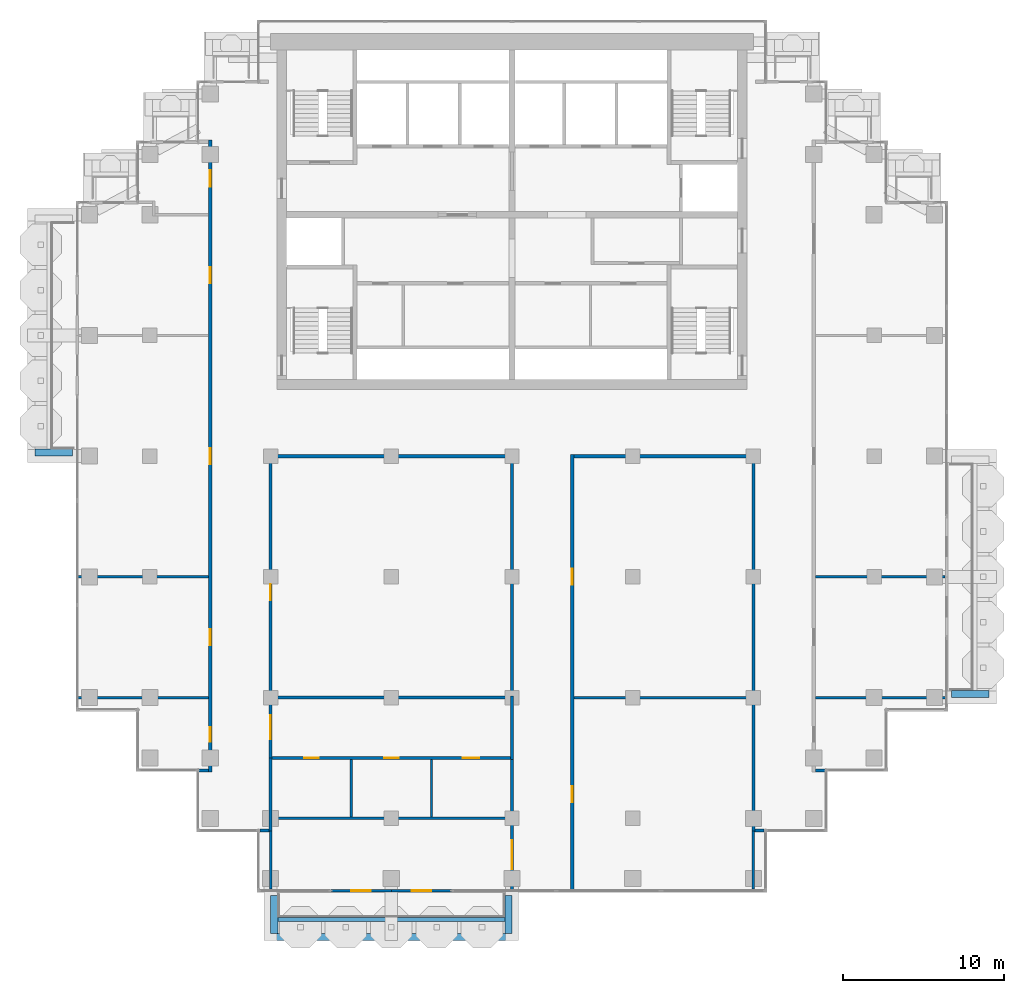
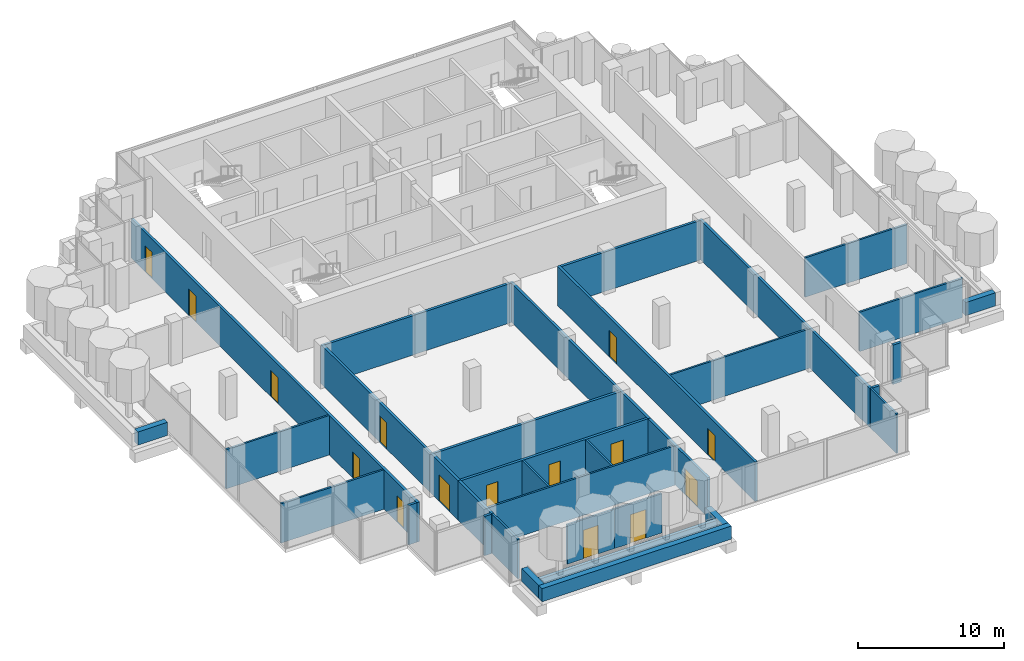
# One storey, part 11 of 17: 35 walls, 15 doors, 15 openings.
"""IFC4 building model written with IfcOpenShell, lengths in metres."""

import ifcopenshell
import ifcopenshell.guid

model = None  # the IFC model being written
_history = None  # IfcOwnerHistory: only IFC2X3 demands one
_inside = {}  # id of a spatial element -> (the spatial element, [elements in it])
_under = {}  # id of a project, library or spatial element -> (it, [spatial elements below it])
_declared = {}  # id of a project -> (the project, [libraries it declares])
_typed = {}  # id of a type object -> (the type object, [elements of that type])
_made_of = {}  # id of a material, layer set ... -> (it, [elements and type objects made of it])


def new_model(schema):
    """Start an empty IFC model of exactly this schema.

    Asked for "IFC4X3", IfcOpenShell would pick the latest addendum, in which some entities
    have other attributes; the version numbers below select the first issue.
    IFC2X3 requires an IfcOwnerHistory on every rooted entity: one is made here for all.
    """
    global model, _history
    if schema == "IFC4X3":
        model = ifcopenshell.file(schema_version=(4, 3, 0, 0))
    else:
        model = ifcopenshell.file(schema=schema)
    _inside.clear()
    _under.clear()
    _declared.clear()
    _typed.clear()
    _made_of.clear()
    _history = None
    if model.schema == "IFC2X3":
        org = make("IfcOrganization", Name="unknown")
        user = make(
            "IfcPersonAndOrganization",
            ThePerson=make("IfcPerson", FamilyName="unknown"),
            TheOrganization=org,
        )
        app = make(
            "IfcApplication",
            ApplicationDeveloper=org,
            Version="unknown",
            ApplicationFullName="unknown",
            ApplicationIdentifier="unknown",
        )
        _history = make(
            "IfcOwnerHistory",
            OwningUser=user,
            OwningApplication=app,
            ChangeAction="ADDED",
            CreationDate=0,
        )
    return model


def make(cls, **values):
    """One entity of the class cls with the attributes given. An attribute that is None is left unset."""
    return model.create_entity(
        cls, **{name: value for name, value in values.items() if value is not None}
    )


def rooted(cls, **values):
    """An entity with a GlobalId (a new one), such as an element, a storey or a relation."""
    return make(cls, GlobalId=ifcopenshell.guid.new(), OwnerHistory=_history, **values)


def si_unit(unit_type, name, prefix=None):
    """IfcSIUnit, for example si_unit("LENGTHUNIT", "METRE", prefix="MILLI")."""
    return make("IfcSIUnit", UnitType=unit_type, Prefix=prefix, Name=name)


def assignment(units):
    """IfcUnitAssignment: the units of a project."""
    return None if units is None else make("IfcUnitAssignment", Units=units)


def point(xyz):
    """IfcCartesianPoint."""
    return None if xyz is None else make("IfcCartesianPoint", Coordinates=xyz)


def direction(xyz):
    """IfcDirection."""
    return None if xyz is None else make("IfcDirection", DirectionRatios=xyz)


def frame(location, z_axis=None, x_axis=None):
    """IfcAxis2Placement3D, a coordinate frame: its origin and axes. An axis left out is left unset."""
    return make(
        "IfcAxis2Placement3D",
        Location=point(location),
        Axis=direction(z_axis),
        RefDirection=direction(x_axis),
    )


def frame_2d(location, x_axis=None):
    """IfcAxis2Placement2D, a coordinate frame in the plane: its origin and x axis."""
    return make(
        "IfcAxis2Placement2D", Location=point(location), RefDirection=direction(x_axis)
    )


def origin():
    """The frame at (0, 0, 0) with its axes left unset."""
    return frame((0.0, 0.0, 0.0))


def place(relative_to, where):
    """IfcLocalPlacement: puts the frame where relative to a parent placement (None: the world)."""
    return make(
        "IfcLocalPlacement", PlacementRelTo=relative_to, RelativePlacement=where
    )


def context(
    kind, dimensions, precision=None, world=None, true_north=None, identifier=None
):
    """IfcGeometricRepresentationContext, for example the 3D "Model" context."""
    return make(
        "IfcGeometricRepresentationContext",
        ContextIdentifier=identifier,
        ContextType=kind,
        CoordinateSpaceDimension=dimensions,
        Precision=precision,
        WorldCoordinateSystem=world,
        TrueNorth=true_north,
    )


def subcontext(parent, identifier, kind, view, scale=None):
    """IfcGeometricRepresentationSubContext, for example "Body" below "Model"."""
    return make(
        "IfcGeometricRepresentationSubContext",
        ContextIdentifier=identifier,
        ContextType=kind,
        ParentContext=parent,
        TargetScale=scale,
        TargetView=view,
    )


def project(units=None, contexts=None):
    """IfcProject with its units and contexts."""
    return rooted(
        "IfcProject",
        Name="project",
        RepresentationContexts=contexts,
        UnitsInContext=assignment(units),
    )


def spatial(cls, under=None, at=None, **own):
    """A site, building, storey or space (cls), placed at a placement, below another one or the project."""
    s = rooted(cls, ObjectPlacement=at, **own)
    if under is not None:
        _under.setdefault(under.id(), (under, []))[1].append(s)
    return s


def profile(cls, at=None, kind="AREA", **sizes):
    """A parametric profile (cls). Its sizes go by their IFC names, for example OverallWidth=200.0."""
    return make(cls, ProfileType=kind, Position=at, **sizes)


def rectangle(**sizes):
    """IfcRectangleProfileDef."""
    return profile("IfcRectangleProfileDef", **sizes)


def extrude(swept, where, along, depth):
    """IfcExtrudedAreaSolid: the profile swept, set in the frame where, extruded along a direction by depth."""
    return make(
        "IfcExtrudedAreaSolid",
        SweptArea=swept,
        Position=where,
        ExtrudedDirection=direction(along),
        Depth=depth,
    )


def shape(context_of_items, identifier, shape_type, items):
    """IfcShapeRepresentation: the items that make up one representation, for example the "Body"."""
    return make(
        "IfcShapeRepresentation",
        ContextOfItems=context_of_items,
        RepresentationIdentifier=identifier,
        RepresentationType=shape_type,
        Items=items,
    )


def material(Name=None, Category=None):
    """IfcMaterial."""
    return make("IfcMaterial", Name=Name, Category=Category)


def layer(
    of_material, thickness, ventilated=None, Name=None, Category=None, Priority=None
):
    """IfcMaterialLayer: one layer of a wall or slab, of a material (None: an air gap)."""
    return make(
        "IfcMaterialLayer",
        Material=of_material,
        LayerThickness=thickness,
        IsVentilated=ventilated,
        Name=Name,
        Category=Category,
        Priority=Priority,
    )


def layer_set(layers, Name=None):
    """IfcMaterialLayerSet."""
    return make("IfcMaterialLayerSet", MaterialLayers=layers, LayerSetName=Name)


def made_of(thing, what):
    """Note that an element or type object is made of a material, layer set ...; save() writes the relation."""
    if what is not None:
        _made_of.setdefault(what.id(), (what, []))[1].append(thing)
    return thing


def type_object(cls, material=None, **own):
    """A type object (cls), such as IfcWallType, which elements share."""
    return made_of(rooted(cls, **own), material)


def element(
    cls,
    number,
    at=None,
    inside=None,
    cuts=None,
    type_object=None,
    material=None,
    context=None,
    identifier="Body",
    shape_type=None,
    held_by="IfcProductDefinitionShape",
    body=None,
    shapes=None,
    **own,
):
    """One element of the class cls, such as IfcWall. Its Tag is "e" and its number.

    at: its placement. inside: the storey or other place that contains it. cuts: it is an
    opening in that element (IfcRelVoidsElement). A single representation is given by context,
    identifier, shape_type and body (its items); several are given by shapes. held_by: the class
    of the entity that holds the representations. save() writes the other relations.
    """
    e = rooted(cls, Tag="e%d" % number, ObjectPlacement=at, **own)
    if body is not None:
        shapes = [shape(context, identifier, shape_type, body)]
    if shapes is not None:
        e.Representation = make(held_by, Representations=shapes)
    if inside is not None:
        _inside.setdefault(inside.id(), (inside, []))[1].append(e)
    if cuts is not None:
        rooted(
            "IfcRelVoidsElement", RelatingBuildingElement=cuts, RelatedOpeningElement=e
        )
    if type_object is not None:
        _typed.setdefault(type_object.id(), (type_object, []))[1].append(e)
    return made_of(e, material)


def fill(opening, filler):
    """IfcRelFillsElement: the door or window that sits in an opening."""
    return rooted(
        "IfcRelFillsElement",
        RelatingOpeningElement=opening,
        RelatedBuildingElement=filler,
    )


def aggregate(whole, parts):
    """IfcRelAggregates: a whole, such as a stair, and the parts it consists of."""
    return rooted("IfcRelAggregates", RelatingObject=whole, RelatedObjects=parts)


def save(model, path):
    """Write the relations noted so far, then the file.

    IfcRelAggregates (storeys below a building ...), IfcRelContainedInSpatialStructure (elements
    in a storey), IfcRelDefinesByType, IfcRelAssociatesMaterial and IfcRelDeclares: one each for
    every whole, place, type object, material and project.
    """
    for whole, parts in _under.values():
        aggregate(whole, parts)
    for where, things in _inside.values():
        rooted(
            "IfcRelContainedInSpatialStructure",
            RelatedElements=things,
            RelatingStructure=where,
        )
    for kind, things in _typed.values():
        rooted("IfcRelDefinesByType", RelatedObjects=things, RelatingType=kind)
    for what, things in _made_of.values():
        rooted("IfcRelAssociatesMaterial", RelatedObjects=things, RelatingMaterial=what)
    for by, libraries in _declared.values():
        rooted("IfcRelDeclares", RelatingContext=by, RelatedDefinitions=libraries)
    model.write(path)


model = new_model("IFC4")

# Units and contexts
model_context = context("Model", 3, precision=1e-05, world=origin(), true_north=direction((0.0, 1.0)))
body_context = subcontext(model_context, "Body", "Model", "MODEL_VIEW")
ifc_project = project(units=[si_unit("LENGTHUNIT", "METRE"), si_unit("AREAUNIT", "SQUARE_METRE"), si_unit("VOLUMEUNIT", "CUBIC_METRE"), si_unit("PLANEANGLEUNIT", "RADIAN"), si_unit("MASSUNIT", "GRAM", prefix="KILO")], contexts=[model_context])

# Site, building, storey
site_placement = place(None, origin())
site = spatial("IfcSite", under=ifc_project, at=site_placement, CompositionType="ELEMENT")
building_placement = place(site_placement, origin())
building = spatial("IfcBuilding", under=site, at=building_placement, Name="Pilkhan Gate Tower", CompositionType="ELEMENT")
storey_placement = place(building_placement, frame((0.0, 0.0, 213.89990234375)))
storey = spatial("IfcBuildingStorey", under=building, at=storey_placement, Name="L55", CompositionType="ELEMENT", Elevation=213.89990234375)

# Walls
ifc_material_1 = material(Name="Concrete C40/50", Category="concrete")
ifc_layer_1 = layer(ifc_material_1, 0.25)
ifc_layer_set_1 = layer_set([ifc_layer_1], Name="Balcony planter BP250")
wall_type_1 = type_object("IfcWallType", Name="Balcony planter BP250", PredefinedType="USERDEFINED", material=ifc_layer_set_1)
wall_1_placement = place(storey_placement, frame((60.449951171875, 38.72509765625, 0.0), z_axis=(0.0, 0.0, 1.0), x_axis=(1.0, 0.0, 0.0)))
element("IfcWall", 1, at=wall_1_placement, inside=storey, type_object=wall_type_1, Name="Balcony planter L55 S", ObjectType="BALCONY PLANTER", PredefinedType="USERDEFINED", context=body_context, shape_type="SweptSolid", body=[
    extrude(rectangle(XDim=14.10009765625, YDim=0.25, at=frame_2d((7.050048828125, 0.0))), origin(), (0.0, 0.0, 1.0), 1.0),
])
ifc_material_2 = material(Name="Board-marked Concrete C40/50", Category="concrete")
ifc_layer_2 = layer(ifc_material_2, 0.449951171875)
ifc_layer_set_2 = layer_set([ifc_layer_2], Name="Balcony planter lip BL450")
wall_type_2 = type_object("IfcWallType", Name="Balcony planter lip BL450", PredefinedType="USERDEFINED", material=ifc_layer_set_2)
wall_2_placement = place(storey_placement, frame((60.0, 37.625, 0.0), z_axis=(0.0, 0.0, 1.0), x_axis=(1.0, 0.0, 0.0)))
element("IfcWall", 2, at=wall_2_placement, inside=storey, type_object=wall_type_2, Name="Balcony planter L55 S", ObjectType="BALCONY PLANTER", PredefinedType="USERDEFINED", context=body_context, shape_type="SweptSolid", body=[
    extrude(rectangle(XDim=15.0, YDim=0.449951171875, at=frame_2d((7.5, 0.0))), origin(), (0.0, 0.0, 1.0), 1.10009765625),
])
for number, where, z_axis, x_axis, name in (
    (3, (60.22509765625, 40.199951171875, 0.0), (0.0, 0.0, 1.0), (0.0, -1.0, 0.0), "Balcony planter L55 S"),
    (4, (74.77490234375, 40.199951171875, 0.0), (0.0, 0.0, 1.0), (0.0, -1.0, 0.0), "Balcony planter L55 S"),
    (5, (102.300048828125, 52.72509765625, 0.0), (0.0, 0.0, 1.0), (1.0, 0.0, 0.0), "Balcony planter L55 E"),
    (6, (47.699951171875, 67.72509765625, 0.0), (0.0, 0.0, 1.0), (-1.0, 0.0, 0.0), "Balcony planter L55 W"),
):
    element("IfcWall", number, at=place(storey_placement, frame(where, z_axis=z_axis, x_axis=x_axis)), inside=storey, type_object=wall_type_2, Name=name, ObjectType="BALCONY PLANTER", PredefinedType="USERDEFINED", context=body_context, shape_type="SweptSolid", body=[
        extrude(rectangle(XDim=2.349853515625, YDim=0.449951171875, at=frame_2d((1.1748046875, 0.0))), origin(), (0.0, 0.0, 1.0), 1.10009765625),
    ])
ifc_material_3 = material(Name="Dense blockwork", Category="masonry")
ifc_layer_3 = layer(ifc_material_3, 0.199951171875)
ifc_layer_set_3 = layer_set([ifc_layer_3], Name="Corridor wall FW200")
wall_type_3 = type_object("IfcWallType", Name="Corridor wall FW200", PredefinedType="PARTITIONING", material=ifc_layer_set_3)
for number, where, z_axis, x_axis, name in (
    (7, (59.35498046875, 44.235107421875, 0.0), (0.0, 0.0, 1.0), (1.0, 0.0, 0.0), "Partition L55"),
    (8, (90.10009765625, 44.235107421875, 0.0), (0.0, 0.0, 1.0), (1.0, 0.0, 0.0), "Partition L55"),
):
    element("IfcWall", number, at=place(storey_placement, frame(where, z_axis=z_axis, x_axis=x_axis)), inside=storey, type_object=wall_type_3, Name=name, PredefinedType="PARTITIONING", context=body_context, shape_type="SweptSolid", body=[
        extrude(rectangle(XDim=0.544921875, YDim=0.199951171875, at=frame_2d((0.2724609375, 0.0))), origin(), (0.0, 0.0, 1.0), 3.300048828125),
    ])
for number, where, z_axis, x_axis, name in (
    (9, (55.485107421875, 47.969970703125, 0.0), (0.0, 0.0, 1.0), (1.0, 0.0, 0.0), "Partition L55"),
    (10, (93.85009765625, 47.969970703125, 0.0), (0.0, 0.0, 1.0), (1.0, 0.0, 0.0), "Partition L55"),
):
    element("IfcWall", number, at=place(storey_placement, frame(where, z_axis=z_axis, x_axis=x_axis)), inside=storey, type_object=wall_type_3, Name=name, PredefinedType="PARTITIONING", context=body_context, shape_type="SweptSolid", body=[
        extrude(rectangle(XDim=0.664794921875, YDim=0.199951171875, at=frame_2d((0.33251953125, 0.0))), origin(), (0.0, 0.0, 1.0), 3.300048828125),
    ])
wall_3_placement = place(storey_placement, frame((60.10009765625, 67.5, 0.0), z_axis=(0.0, 0.0, 1.0), x_axis=(1.0, 0.0, 0.0)))
element("IfcWall", 11, at=wall_3_placement, inside=storey, type_object=wall_type_3, Name="Partition L55", PredefinedType="PARTITIONING", context=body_context, shape_type="SweptSolid", body=[
    extrude(rectangle(XDim=14.7998046875, YDim=0.199951171875, at=frame_2d((7.39990234375, 0.0))), origin(), (0.0, 0.0, 1.0), 3.300048828125),
])
wall_4_placement = place(storey_placement, frame((78.85009765625, 67.5, 0.0), z_axis=(0.0, 0.0, 1.0), x_axis=(1.0, 0.0, 0.0)))
element("IfcWall", 12, at=wall_4_placement, inside=storey, type_object=wall_type_3, Name="Partition L55", PredefinedType="PARTITIONING", context=body_context, shape_type="SweptSolid", body=[
    extrude(rectangle(XDim=11.0498046875, YDim=0.199951171875, at=frame_2d((5.52490234375, 0.0))), origin(), (0.0, 0.0, 1.0), 3.300048828125),
])

# Wall, openings, doors
wall_5_placement = place(storey_placement, frame((56.25, 47.8701171875, 0.0), z_axis=(0.0, 0.0, 1.0), x_axis=(0.0, 1.0, 0.0)))
wall_5 = element("IfcWall", 13, at=wall_5_placement, inside=storey, type_object=wall_type_3, Name="Partition L55", PredefinedType="PARTITIONING", context=body_context, shape_type="SweptSolid", body=[
    extrude(rectangle(XDim=39.259765625, YDim=0.199951171875, at=frame_2d((19.6298828125, 0.0))), origin(), (0.0, 0.0, 1.0), 3.300048828125),
])
opening_1_placement = place(wall_5_placement, frame((1.89990234375, 0.0, 0.0)))
opening_1 = element("IfcOpeningElement", 14, at=opening_1_placement, cuts=wall_5, Name="Opening L55-21", PredefinedType="OPENING", context=body_context, shape_type="SweptSolid", body=[
    extrude(rectangle(XDim=0.89990234375, YDim=2.199951171875, at=frame_2d((0.449951171875, 1.10009765625))), frame((0.0, 0.10986328125, 0.0), z_axis=(0.0, -1.0, 0.0), x_axis=(1.0, 0.0, 0.0)), (0.0, 0.0, 1.0), 0.219970703125),
])
opening_2_placement = place(wall_5_placement, frame((7.8798828125, 0.0, 0.0)))
opening_2 = element("IfcOpeningElement", 15, at=opening_2_placement, cuts=wall_5, Name="Opening L55-22", PredefinedType="OPENING", context=body_context, shape_type="SweptSolid", body=[
    extrude(rectangle(XDim=1.0, YDim=2.199951171875, at=frame_2d((0.5, 1.10009765625))), frame((0.0, 0.10986328125, 0.0), z_axis=(0.0, -1.0, 0.0), x_axis=(1.0, 0.0, 0.0)), (0.0, 0.0, 1.0), 0.219970703125),
])
opening_3_placement = place(wall_5_placement, frame((19.1298828125, 0.0, 0.0)))
opening_3 = element("IfcOpeningElement", 16, at=opening_3_placement, cuts=wall_5, Name="Opening L55-23", PredefinedType="OPENING", context=body_context, shape_type="SweptSolid", body=[
    extrude(rectangle(XDim=1.0, YDim=2.199951171875, at=frame_2d((0.5, 1.10009765625))), frame((0.0, 0.10986328125, 0.0), z_axis=(0.0, -1.0, 0.0), x_axis=(1.0, 0.0, 0.0)), (0.0, 0.0, 1.0), 0.219970703125),
])
opening_4_placement = place(wall_5_placement, frame((30.3798828125, 0.0, 0.0)))
opening_4 = element("IfcOpeningElement", 17, at=opening_4_placement, cuts=wall_5, Name="Opening L55-27", PredefinedType="OPENING", context=body_context, shape_type="SweptSolid", body=[
    extrude(rectangle(XDim=1.0, YDim=2.199951171875, at=frame_2d((0.5, 1.10009765625))), frame((0.0, 0.10986328125, 0.0), z_axis=(0.0, -1.0, 0.0), x_axis=(1.0, 0.0, 0.0)), (0.0, 0.0, 1.0), 0.219970703125),
])
opening_5_placement = place(wall_5_placement, frame((36.3798828125, 0.0, 0.0)))
opening_5 = element("IfcOpeningElement", 18, at=opening_5_placement, cuts=wall_5, Name="Opening L55-28", PredefinedType="OPENING", context=body_context, shape_type="SweptSolid", body=[
    extrude(rectangle(XDim=1.0, YDim=2.199951171875, at=frame_2d((0.5, 1.10009765625))), frame((0.0, 0.10986328125, 0.0), z_axis=(0.0, -1.0, 0.0), x_axis=(1.0, 0.0, 0.0)), (0.0, 0.0, 1.0), 0.219970703125),
])
ifc_material_4 = material(Name="Timber flush door, 30 minute fire resisting", Category="wood")
door_type_1 = type_object("IfcDoorType", Name="Room door D03 1000x2200", OperationType="SINGLE_SWING_LEFT", PredefinedType="DOOR", material=ifc_material_4)
door_1_placement = place(opening_2_placement, origin())
door_1 = element("IfcDoor", 19, at=door_1_placement, inside=storey, type_object=door_type_1, Name="Room door", OperationType="SINGLE_SWING_LEFT", OverallHeight=2.199951171875, OverallWidth=1.0, PredefinedType="DOOR", context=body_context, shape_type="SweptSolid", body=[
    extrude(rectangle(XDim=1.0, YDim=2.199951171875, at=frame_2d((0.5, 1.10009765625))), frame((0.0, 0.02490234375, 0.0), z_axis=(0.0, -1.0, 0.0), x_axis=(1.0, 0.0, 0.0)), (0.0, 0.0, 1.0), 0.050048828125),
])
fill(opening_2, door_1)
door_2_placement = place(opening_3_placement, origin())
door_2 = element("IfcDoor", 20, at=door_2_placement, inside=storey, type_object=door_type_1, Name="Room door", OperationType="SINGLE_SWING_LEFT", OverallHeight=2.199951171875, OverallWidth=1.0, PredefinedType="DOOR", context=body_context, shape_type="SweptSolid", body=[
    extrude(rectangle(XDim=1.0, YDim=2.199951171875, at=frame_2d((0.5, 1.10009765625))), frame((0.0, 0.02490234375, 0.0), z_axis=(0.0, -1.0, 0.0), x_axis=(1.0, 0.0, 0.0)), (0.0, 0.0, 1.0), 0.050048828125),
])
fill(opening_3, door_2)
door_3_placement = place(opening_4_placement, origin())
door_3 = element("IfcDoor", 21, at=door_3_placement, inside=storey, type_object=door_type_1, Name="Room door", OperationType="SINGLE_SWING_RIGHT", OverallHeight=2.199951171875, OverallWidth=1.0, PredefinedType="DOOR", context=body_context, shape_type="SweptSolid", body=[
    extrude(rectangle(XDim=1.0, YDim=2.199951171875, at=frame_2d((0.5, 1.10009765625))), frame((0.0, 0.02490234375, 0.0), z_axis=(0.0, -1.0, 0.0), x_axis=(1.0, 0.0, 0.0)), (0.0, 0.0, 1.0), 0.050048828125),
])
fill(opening_4, door_3)
door_4_placement = place(opening_5_placement, origin())
door_4 = element("IfcDoor", 22, at=door_4_placement, inside=storey, type_object=door_type_1, Name="Room door", OperationType="SINGLE_SWING_RIGHT", OverallHeight=2.199951171875, OverallWidth=1.0, PredefinedType="DOOR", context=body_context, shape_type="SweptSolid", body=[
    extrude(rectangle(XDim=1.0, YDim=2.199951171875, at=frame_2d((0.5, 1.10009765625))), frame((0.0, 0.02490234375, 0.0), z_axis=(0.0, -1.0, 0.0), x_axis=(1.0, 0.0, 0.0)), (0.0, 0.0, 1.0), 0.050048828125),
])
fill(opening_5, door_4)
ifc_material_5 = material(Name="Timber flush door, 60 minute fire resisting, self-closing", Category="wood")
door_type_2 = type_object("IfcDoorType", Name="Store door D05 900x2200", OperationType="SINGLE_SWING_LEFT", PredefinedType="DOOR", material=ifc_material_5)
door_5_placement = place(opening_1_placement, origin())
door_5 = element("IfcDoor", 23, at=door_5_placement, inside=storey, type_object=door_type_2, Name="Store door", OperationType="SINGLE_SWING_LEFT", OverallHeight=2.199951171875, OverallWidth=0.89990234375, PredefinedType="DOOR", context=body_context, shape_type="SweptSolid", body=[
    extrude(rectangle(XDim=0.89990234375, YDim=2.199951171875, at=frame_2d((0.449951171875, 1.10009765625))), frame((0.0, 0.02490234375, 0.0), z_axis=(0.0, -1.0, 0.0), x_axis=(1.0, 0.0, 0.0)), (0.0, 0.0, 1.0), 0.050048828125),
])
fill(opening_1, door_5)

# Wall
wall_6_placement = place(storey_placement, frame((60.0, 44.135009765625, 0.0), z_axis=(0.0, 0.0, 1.0), x_axis=(0.0, 1.0, 0.0)))
element("IfcWall", 24, at=wall_6_placement, inside=storey, type_object=wall_type_3, Name="Partition L55", PredefinedType="PARTITIONING", context=body_context, shape_type="SweptSolid", body=[
    extrude(rectangle(XDim=4.614990234375, YDim=0.199951171875, at=frame_2d((2.3076171875, 0.0))), origin(), (0.0, 0.0, 1.0), 3.300048828125),
])

# Wall, opening, door
wall_7_placement = place(storey_placement, frame((60.0, 52.5, 0.0), z_axis=(0.0, 0.0, 1.0), x_axis=(0.0, 1.0, 0.0)))
wall_7 = element("IfcWall", 25, at=wall_7_placement, inside=storey, type_object=wall_type_3, Name="Partition L55", PredefinedType="PARTITIONING", context=body_context, shape_type="SweptSolid", body=[
    extrude(rectangle(XDim=15.10009765625, YDim=0.199951171875, at=frame_2d((7.550048828125, 0.0))), origin(), (0.0, 0.0, 1.0), 3.300048828125),
])
opening_6_placement = place(wall_7_placement, frame((6.050048828125, 0.0, 0.0)))
opening_6 = element("IfcOpeningElement", 26, at=opening_6_placement, cuts=wall_7, Name="Opening L55-18", PredefinedType="OPENING", context=body_context, shape_type="SweptSolid", body=[
    extrude(rectangle(XDim=1.0, YDim=2.199951171875, at=frame_2d((0.5, 1.10009765625))), frame((0.0, 0.10986328125, 0.0), z_axis=(0.0, -1.0, 0.0), x_axis=(1.0, 0.0, 0.0)), (0.0, 0.0, 1.0), 0.219970703125),
])
door_6_placement = place(opening_6_placement, origin())
door_6 = element("IfcDoor", 27, at=door_6_placement, inside=storey, type_object=door_type_1, Name="Room door", OperationType="SINGLE_SWING_RIGHT", OverallHeight=2.199951171875, OverallWidth=1.0, PredefinedType="DOOR", context=body_context, shape_type="SweptSolid", body=[
    extrude(rectangle(XDim=1.0, YDim=2.199951171875, at=frame_2d((0.5, 1.10009765625))), frame((0.0, 0.02490234375, 0.0), z_axis=(0.0, -1.0, 0.0), x_axis=(1.0, 0.0, 0.0)), (0.0, 0.0, 1.0), 0.050048828125),
])
fill(opening_6, door_6)

wall_8_placement = place(storey_placement, frame((75.0, 40.485107421875, 0.0), z_axis=(0.0, 0.0, 1.0), x_axis=(0.0, 1.0, 0.0)))
wall_8 = element("IfcWall", 28, at=wall_8_placement, inside=storey, type_object=wall_type_3, Name="Partition L55", PredefinedType="PARTITIONING", context=body_context, shape_type="SweptSolid", body=[
    extrude(rectangle(XDim=8.264892578125, YDim=0.199951171875, at=frame_2d((4.13232421875, 0.0))), origin(), (0.0, 0.0, 1.0), 3.300048828125),
])
opening_7_placement = place(wall_8_placement, frame((1.35009765625, 0.0, 0.0)))
opening_7 = element("IfcOpeningElement", 29, at=opening_7_placement, cuts=wall_8, Name="Opening L55-17", PredefinedType="OPENING", context=body_context, shape_type="SweptSolid", body=[
    extrude(rectangle(XDim=1.800048828125, YDim=2.199951171875, at=frame_2d((0.89990234375, 1.10009765625))), frame((0.0, 0.10986328125, 0.0), z_axis=(0.0, -1.0, 0.0), x_axis=(1.0, 0.0, 0.0)), (0.0, 0.0, 1.0), 0.219970703125),
])
ifc_material_6 = material(Name="Timber glazed double door, 30 minute fire resisting", Category="wood")
door_type_3 = type_object("IfcDoorType", Name="Double door D04 1800x2200", OperationType="DOUBLE_DOOR_SINGLE_SWING", PredefinedType="DOOR", material=ifc_material_6)
door_7_placement = place(opening_7_placement, origin())
door_7 = element("IfcDoor", 30, at=door_7_placement, inside=storey, type_object=door_type_3, Name="Double door", OperationType="DOUBLE_DOOR_SINGLE_SWING", OverallHeight=2.199951171875, OverallWidth=1.800048828125, PredefinedType="DOOR", context=body_context, shape_type="SweptSolid", body=[
    extrude(rectangle(XDim=1.800048828125, YDim=2.199951171875, at=frame_2d((0.89990234375, 1.10009765625))), frame((0.0, 0.02490234375, 0.0), z_axis=(0.0, -1.0, 0.0), x_axis=(1.0, 0.0, 0.0)), (0.0, 0.0, 1.0), 0.050048828125),
])
fill(opening_7, door_7)

# Wall
wall_9_placement = place(storey_placement, frame((75.0, 52.5, 0.0), z_axis=(0.0, 0.0, 1.0), x_axis=(0.0, 1.0, 0.0)))
element("IfcWall", 31, at=wall_9_placement, inside=storey, type_object=wall_type_3, Name="Partition L55", PredefinedType="PARTITIONING", context=body_context, shape_type="SweptSolid", body=[
    extrude(rectangle(XDim=15.10009765625, YDim=0.199951171875, at=frame_2d((7.550048828125, 0.0))), origin(), (0.0, 0.0, 1.0), 3.300048828125),
])

# Wall, openings, doors
wall_10_placement = place(storey_placement, frame((78.75, 40.485107421875, 0.0), z_axis=(0.0, 0.0, 1.0), x_axis=(0.0, 1.0, 0.0)))
wall_10 = element("IfcWall", 32, at=wall_10_placement, inside=storey, type_object=wall_type_3, Name="Partition L55", PredefinedType="PARTITIONING", context=body_context, shape_type="SweptSolid", body=[
    extrude(rectangle(XDim=27.114990234375, YDim=0.199951171875, at=frame_2d((13.5576171875, 0.0))), origin(), (0.0, 0.0, 1.0), 3.300048828125),
])
opening_8_placement = place(wall_10_placement, frame((5.5, 0.0, 0.0)))
opening_8 = element("IfcOpeningElement", 33, at=opening_8_placement, cuts=wall_10, Name="Opening L55-19", PredefinedType="OPENING", context=body_context, shape_type="SweptSolid", body=[
    extrude(rectangle(XDim=1.0, YDim=2.199951171875, at=frame_2d((0.5, 1.10009765625))), frame((0.0, 0.10986328125, 0.0), z_axis=(0.0, -1.0, 0.0), x_axis=(1.0, 0.0, 0.0)), (0.0, 0.0, 1.0), 0.219970703125),
])
opening_9_placement = place(wall_10_placement, frame((19.014892578125, 0.0, 0.0)))
opening_9 = element("IfcOpeningElement", 34, at=opening_9_placement, cuts=wall_10, Name="Opening L55-20", PredefinedType="OPENING", context=body_context, shape_type="SweptSolid", body=[
    extrude(rectangle(XDim=1.0, YDim=2.199951171875, at=frame_2d((0.5, 1.10009765625))), frame((0.0, 0.10986328125, 0.0), z_axis=(0.0, -1.0, 0.0), x_axis=(1.0, 0.0, 0.0)), (0.0, 0.0, 1.0), 0.219970703125),
])
door_8_placement = place(opening_8_placement, origin())
door_8 = element("IfcDoor", 35, at=door_8_placement, inside=storey, type_object=door_type_1, Name="Room door", OperationType="SINGLE_SWING_LEFT", OverallHeight=2.199951171875, OverallWidth=1.0, PredefinedType="DOOR", context=body_context, shape_type="SweptSolid", body=[
    extrude(rectangle(XDim=1.0, YDim=2.199951171875, at=frame_2d((0.5, 1.10009765625))), frame((0.0, 0.02490234375, 0.0), z_axis=(0.0, -1.0, 0.0), x_axis=(1.0, 0.0, 0.0)), (0.0, 0.0, 1.0), 0.050048828125),
])
fill(opening_8, door_8)
door_9_placement = place(opening_9_placement, origin())
door_9 = element("IfcDoor", 36, at=door_9_placement, inside=storey, type_object=door_type_1, Name="Room door", OperationType="SINGLE_SWING_LEFT", OverallHeight=2.199951171875, OverallWidth=1.0, PredefinedType="DOOR", context=body_context, shape_type="SweptSolid", body=[
    extrude(rectangle(XDim=1.0, YDim=2.199951171875, at=frame_2d((0.5, 1.10009765625))), frame((0.0, 0.02490234375, 0.0), z_axis=(0.0, -1.0, 0.0), x_axis=(1.0, 0.0, 0.0)), (0.0, 0.0, 1.0), 0.050048828125),
])
fill(opening_9, door_9)

# Wall
wall_11_placement = place(storey_placement, frame((90.0, 44.135009765625, 0.0), z_axis=(0.0, 0.0, 1.0), x_axis=(0.0, 1.0, 0.0)))
element("IfcWall", 37, at=wall_11_placement, inside=storey, type_object=wall_type_3, Name="Partition L55", PredefinedType="PARTITIONING", context=body_context, shape_type="SweptSolid", body=[
    extrude(rectangle(XDim=23.465087890625, YDim=0.199951171875, at=frame_2d((11.732421875, 0.0))), origin(), (0.0, 0.0, 1.0), 3.300048828125),
])

# Wall, opening, door
ifc_material_7 = material(Name="Pale anodised aluminium, clear laminated glazing", Category="aluminium")
ifc_layer_4 = layer(ifc_material_7, 0.14990234375)
ifc_layer_set_4 = layer_set([ifc_layer_4], Name="Facade infill wall IW150")
wall_type_4 = type_object("IfcWallType", Name="Facade infill wall IW150", PredefinedType="SOLIDWALL", material=ifc_layer_set_4)
wall_12_placement = place(storey_placement, frame((63.75, 40.5, 0.0), z_axis=(0.0, 0.0, 1.0), x_axis=(1.0, 0.0, 0.0)))
wall_12 = element("IfcWall", 38, at=wall_12_placement, inside=storey, type_object=wall_type_4, Name="Infill wall L55 S", PredefinedType="SOLIDWALL", context=body_context, shape_type="SweptSolid", body=[
    extrude(rectangle(XDim=3.75, YDim=0.14990234375, at=frame_2d((1.875, 0.0))), origin(), (0.0, 0.0, 1.0), 3.300048828125),
])
opening_10_placement = place(wall_12_placement, frame((1.27490234375, 0.0, 0.0)))
opening_10 = element("IfcOpeningElement", 39, at=opening_10_placement, cuts=wall_12, Name="Opening D1", PredefinedType="OPENING", context=body_context, shape_type="SweptSolid", body=[
    extrude(rectangle(XDim=1.199951171875, YDim=2.39990234375, at=frame_2d((0.60009765625, 1.199951171875))), frame((0.0, 0.0849609375, 0.0), z_axis=(0.0, -1.0, 0.0), x_axis=(1.0, 0.0, 0.0)), (0.0, 0.0, 1.0), 0.169921875),
])
ifc_material_8 = material(Name="Pale anodised aluminium, clear glazing", Category="aluminium")
door_type_4 = type_object("IfcDoorType", Name="Balcony door D1 1200x2400", OperationType="SINGLE_SWING_LEFT", PredefinedType="DOOR", material=ifc_material_8)
door_10_placement = place(opening_10_placement, origin())
door_10 = element("IfcDoor", 40, at=door_10_placement, inside=storey, type_object=door_type_4, Name="Balcony door L55", OperationType="SINGLE_SWING_LEFT", OverallHeight=2.39990234375, OverallWidth=1.199951171875, PredefinedType="DOOR", context=body_context, shape_type="SweptSolid", body=[
    extrude(rectangle(XDim=1.199951171875, YDim=2.39990234375, at=frame_2d((0.60009765625, 1.199951171875))), frame((0.0, 0.02490234375, 0.0), z_axis=(0.0, -1.0, 0.0), x_axis=(1.0, 0.0, 0.0)), (0.0, 0.0, 1.0), 0.050048828125),
])
fill(opening_10, door_10)

wall_13_placement = place(storey_placement, frame((67.5, 40.5, 0.0), z_axis=(0.0, 0.0, 1.0), x_axis=(1.0, 0.0, 0.0)))
wall_13 = element("IfcWall", 41, at=wall_13_placement, inside=storey, type_object=wall_type_4, Name="Infill wall L55 S", PredefinedType="SOLIDWALL", context=body_context, shape_type="SweptSolid", body=[
    extrude(rectangle(XDim=3.75, YDim=0.14990234375, at=frame_2d((1.875, 0.0))), origin(), (0.0, 0.0, 1.0), 3.300048828125),
])
opening_11_placement = place(wall_13_placement, frame((1.27490234375, 0.0, 0.0)))
opening_11 = element("IfcOpeningElement", 42, at=opening_11_placement, cuts=wall_13, Name="Opening D1", PredefinedType="OPENING", context=body_context, shape_type="SweptSolid", body=[
    extrude(rectangle(XDim=1.199951171875, YDim=2.39990234375, at=frame_2d((0.60009765625, 1.199951171875))), frame((0.0, 0.0849609375, 0.0), z_axis=(0.0, -1.0, 0.0), x_axis=(1.0, 0.0, 0.0)), (0.0, 0.0, 1.0), 0.169921875),
])
door_11_placement = place(opening_11_placement, origin())
door_11 = element("IfcDoor", 43, at=door_11_placement, inside=storey, type_object=door_type_4, Name="Balcony door L55", OperationType="SINGLE_SWING_LEFT", OverallHeight=2.39990234375, OverallWidth=1.199951171875, PredefinedType="DOOR", context=body_context, shape_type="SweptSolid", body=[
    extrude(rectangle(XDim=1.199951171875, YDim=2.39990234375, at=frame_2d((0.60009765625, 1.199951171875))), frame((0.0, 0.02490234375, 0.0), z_axis=(0.0, -1.0, 0.0), x_axis=(1.0, 0.0, 0.0)), (0.0, 0.0, 1.0), 0.050048828125),
])
fill(opening_11, door_11)

# Wall, openings, doors
ifc_layer_5 = layer(ifc_material_3, 0.199951171875)
ifc_layer_set_5 = layer_set([ifc_layer_5], Name="Lobby wall LW200")
wall_type_5 = type_object("IfcWallType", Name="Lobby wall LW200", PredefinedType="PARTITIONING", material=ifc_layer_set_5)
wall_14_placement = place(storey_placement, frame((60.10009765625, 48.75, 0.0), z_axis=(0.0, 0.0, 1.0), x_axis=(1.0, 0.0, 0.0)))
wall_14 = element("IfcWall", 44, at=wall_14_placement, inside=storey, type_object=wall_type_5, Name="Partition L55", PredefinedType="PARTITIONING", context=body_context, shape_type="SweptSolid", body=[
    extrude(rectangle(XDim=14.7998046875, YDim=0.199951171875, at=frame_2d((7.39990234375, 0.0))), origin(), (0.0, 0.0, 1.0), 3.300048828125),
])
opening_12_placement = place(wall_14_placement, frame((2.0, 0.0, 0.0)))
opening_12 = element("IfcOpeningElement", 45, at=opening_12_placement, cuts=wall_14, Name="Opening L55-14", PredefinedType="OPENING", context=body_context, shape_type="SweptSolid", body=[
    extrude(rectangle(XDim=0.89990234375, YDim=2.199951171875, at=frame_2d((0.449951171875, 1.10009765625))), frame((0.0, 0.10986328125, 0.0), z_axis=(0.0, -1.0, 0.0), x_axis=(1.0, 0.0, 0.0)), (0.0, 0.0, 1.0), 0.219970703125),
])
opening_13_placement = place(wall_14_placement, frame((6.949951171875, 0.0, 0.0)))
opening_13 = element("IfcOpeningElement", 46, at=opening_13_placement, cuts=wall_14, Name="Opening L55-15", PredefinedType="OPENING", context=body_context, shape_type="SweptSolid", body=[
    extrude(rectangle(XDim=0.89990234375, YDim=2.199951171875, at=frame_2d((0.449951171875, 1.10009765625))), frame((0.0, 0.10986328125, 0.0), z_axis=(0.0, -1.0, 0.0), x_axis=(1.0, 0.0, 0.0)), (0.0, 0.0, 1.0), 0.219970703125),
])
opening_14_placement = place(wall_14_placement, frame((11.85009765625, 0.0, 0.0)))
opening_14 = element("IfcOpeningElement", 47, at=opening_14_placement, cuts=wall_14, Name="Opening L55-16", PredefinedType="OPENING", context=body_context, shape_type="SweptSolid", body=[
    extrude(rectangle(XDim=1.0, YDim=2.199951171875, at=frame_2d((0.5, 1.10009765625))), frame((0.0, 0.10986328125, 0.0), z_axis=(0.0, -1.0, 0.0), x_axis=(1.0, 0.0, 0.0)), (0.0, 0.0, 1.0), 0.219970703125),
])
ifc_material_9 = material(Name="Timber flush door, outward opening, 30 minute fire resisting", Category="wood")
door_type_5 = type_object("IfcDoorType", Name="Accessible toilet door D07 1000x2200", OperationType="SINGLE_SWING_LEFT", PredefinedType="DOOR", material=ifc_material_9)
door_12_placement = place(opening_14_placement, origin())
door_12 = element("IfcDoor", 48, at=door_12_placement, inside=storey, type_object=door_type_5, Name="Accessible toilet door", OperationType="SINGLE_SWING_LEFT", OverallHeight=2.199951171875, OverallWidth=1.0, PredefinedType="DOOR", context=body_context, shape_type="SweptSolid", body=[
    extrude(rectangle(XDim=1.0, YDim=2.199951171875, at=frame_2d((0.5, 1.10009765625))), frame((0.0, 0.02490234375, 0.0), z_axis=(0.0, -1.0, 0.0), x_axis=(1.0, 0.0, 0.0)), (0.0, 0.0, 1.0), 0.050048828125),
])
fill(opening_14, door_12)
door_type_6 = type_object("IfcDoorType", Name="Toilet door D06 900x2200", OperationType="SINGLE_SWING_LEFT", PredefinedType="DOOR", material=ifc_material_4)
door_13_placement = place(opening_12_placement, origin())
door_13 = element("IfcDoor", 49, at=door_13_placement, inside=storey, type_object=door_type_6, Name="Toilet door", OperationType="SINGLE_SWING_LEFT", OverallHeight=2.199951171875, OverallWidth=0.89990234375, PredefinedType="DOOR", context=body_context, shape_type="SweptSolid", body=[
    extrude(rectangle(XDim=0.89990234375, YDim=2.199951171875, at=frame_2d((0.449951171875, 1.10009765625))), frame((0.0, 0.02490234375, 0.0), z_axis=(0.0, -1.0, 0.0), x_axis=(1.0, 0.0, 0.0)), (0.0, 0.0, 1.0), 0.050048828125),
])
fill(opening_12, door_13)
door_14_placement = place(opening_13_placement, origin())
door_14 = element("IfcDoor", 50, at=door_14_placement, inside=storey, type_object=door_type_6, Name="Toilet door", OperationType="SINGLE_SWING_LEFT", OverallHeight=2.199951171875, OverallWidth=0.89990234375, PredefinedType="DOOR", context=body_context, shape_type="SweptSolid", body=[
    extrude(rectangle(XDim=0.89990234375, YDim=2.199951171875, at=frame_2d((0.449951171875, 1.10009765625))), frame((0.0, 0.02490234375, 0.0), z_axis=(0.0, -1.0, 0.0), x_axis=(1.0, 0.0, 0.0)), (0.0, 0.0, 1.0), 0.050048828125),
])
fill(opening_13, door_14)

# Wall
wall_15_placement = place(storey_placement, frame((60.10009765625, 52.5, 0.0), z_axis=(0.0, 0.0, 1.0), x_axis=(1.0, 0.0, 0.0)))
element("IfcWall", 51, at=wall_15_placement, inside=storey, type_object=wall_type_5, Name="Partition L55", PredefinedType="PARTITIONING", context=body_context, shape_type="SweptSolid", body=[
    extrude(rectangle(XDim=14.7998046875, YDim=0.199951171875, at=frame_2d((7.39990234375, 0.0))), origin(), (0.0, 0.0, 1.0), 3.300048828125),
])

# Wall, opening, door
wall_16_placement = place(storey_placement, frame((60.0, 48.64990234375, 0.0), z_axis=(0.0, 0.0, 1.0), x_axis=(0.0, 1.0, 0.0)))
wall_16 = element("IfcWall", 52, at=wall_16_placement, inside=storey, type_object=wall_type_5, Name="Partition L55", PredefinedType="PARTITIONING", context=body_context, shape_type="SweptSolid", body=[
    extrude(rectangle(XDim=3.9501953125, YDim=0.199951171875, at=frame_2d((1.97509765625, 0.0))), origin(), (0.0, 0.0, 1.0), 3.300048828125),
])
opening_15_placement = place(wall_16_placement, frame((1.25, 0.0, 0.0)))
opening_15 = element("IfcOpeningElement", 53, at=opening_15_placement, cuts=wall_16, Name="Opening L55-13", PredefinedType="OPENING", context=body_context, shape_type="SweptSolid", body=[
    extrude(rectangle(XDim=1.5, YDim=2.199951171875, at=frame_2d((0.75, 1.10009765625))), frame((0.0, 0.10986328125, 0.0), z_axis=(0.0, -1.0, 0.0), x_axis=(1.0, 0.0, 0.0)), (0.0, 0.0, 1.0), 0.219970703125),
])
ifc_material_10 = material(Name="Steel framed glazed door, 60 minute fire resisting", Category="steel")
door_type_7 = type_object("IfcDoorType", Name="Lobby door D09 1500x2200", OperationType="DOUBLE_DOOR_SINGLE_SWING", PredefinedType="DOOR", material=ifc_material_10)
door_15_placement = place(opening_15_placement, origin())
door_15 = element("IfcDoor", 54, at=door_15_placement, inside=storey, type_object=door_type_7, Name="Lobby door", OperationType="DOUBLE_DOOR_SINGLE_SWING", OverallHeight=2.199951171875, OverallWidth=1.5, PredefinedType="DOOR", context=body_context, shape_type="SweptSolid", body=[
    extrude(rectangle(XDim=1.5, YDim=2.199951171875, at=frame_2d((0.75, 1.10009765625))), frame((0.0, 0.02490234375, 0.0), z_axis=(0.0, -1.0, 0.0), x_axis=(1.0, 0.0, 0.0)), (0.0, 0.0, 1.0), 0.050048828125),
])
fill(opening_15, door_15)

# Walls
wall_17_placement = place(storey_placement, frame((75.0, 48.64990234375, 0.0), z_axis=(0.0, 0.0, 1.0), x_axis=(0.0, 1.0, 0.0)))
element("IfcWall", 55, at=wall_17_placement, inside=storey, type_object=wall_type_5, Name="Partition L55", PredefinedType="PARTITIONING", context=body_context, shape_type="SweptSolid", body=[
    extrude(rectangle(XDim=3.9501953125, YDim=0.199951171875, at=frame_2d((1.97509765625, 0.0))), origin(), (0.0, 0.0, 1.0), 3.300048828125),
])
ifc_material_11 = material(Name="Blockwork partition, plastered both sides", Category="masonry")
ifc_layer_6 = layer(ifc_material_11, 0.14990234375)
ifc_layer_set_6 = layer_set([ifc_layer_6], Name="Partition PW150")
wall_type_6 = type_object("IfcWallType", Name="Partition PW150", PredefinedType="PARTITIONING", material=ifc_layer_set_6)
wall_18_placement = place(storey_placement, frame((60.10009765625, 45.0, 0.0), z_axis=(0.0, 0.0, 1.0), x_axis=(1.0, 0.0, 0.0)))
element("IfcWall", 56, at=wall_18_placement, inside=storey, type_object=wall_type_6, Name="Partition L55", PredefinedType="PARTITIONING", context=body_context, shape_type="SweptSolid", body=[
    extrude(rectangle(XDim=14.7998046875, YDim=0.14990234375, at=frame_2d((7.39990234375, 0.0))), origin(), (0.0, 0.0, 1.0), 3.300048828125),
])
wall_19_placement = place(storey_placement, frame((47.985107421875, 52.5, 0.0), z_axis=(0.0, 0.0, 1.0), x_axis=(1.0, 0.0, 0.0)))
element("IfcWall", 57, at=wall_19_placement, inside=storey, type_object=wall_type_6, Name="Partition L55", PredefinedType="PARTITIONING", context=body_context, shape_type="SweptSolid", body=[
    extrude(rectangle(XDim=8.164794921875, YDim=0.14990234375, at=frame_2d((4.08251953125, 0.0))), origin(), (0.0, 0.0, 1.0), 3.300048828125),
])
wall_20_placement = place(storey_placement, frame((78.85009765625, 52.5, 0.0), z_axis=(0.0, 0.0, 1.0), x_axis=(1.0, 0.0, 0.0)))
element("IfcWall", 58, at=wall_20_placement, inside=storey, type_object=wall_type_6, Name="Partition L55", PredefinedType="PARTITIONING", context=body_context, shape_type="SweptSolid", body=[
    extrude(rectangle(XDim=11.0498046875, YDim=0.14990234375, at=frame_2d((5.52490234375, 0.0))), origin(), (0.0, 0.0, 1.0), 3.300048828125),
])
for number, where, z_axis, x_axis, name in (
    (59, (93.85009765625, 52.5, 0.0), (0.0, 0.0, 1.0), (1.0, 0.0, 0.0), "Partition L55"),
    (60, (47.985107421875, 60.0, 0.0), (0.0, 0.0, 1.0), (1.0, 0.0, 0.0), "Partition L55"),
):
    element("IfcWall", number, at=place(storey_placement, frame(where, z_axis=z_axis, x_axis=x_axis)), inside=storey, type_object=wall_type_6, Name=name, PredefinedType="PARTITIONING", context=body_context, shape_type="SweptSolid", body=[
        extrude(rectangle(XDim=8.164794921875, YDim=0.14990234375, at=frame_2d((4.08251953125, 0.0))), origin(), (0.0, 0.0, 1.0), 3.300048828125),
    ])
wall_21_placement = place(storey_placement, frame((93.85009765625, 60.0, 0.0), z_axis=(0.0, 0.0, 1.0), x_axis=(1.0, 0.0, 0.0)))
element("IfcWall", 61, at=wall_21_placement, inside=storey, type_object=wall_type_6, Name="Partition L55", PredefinedType="PARTITIONING", context=body_context, shape_type="SweptSolid", body=[
    extrude(rectangle(XDim=8.06494140625, YDim=0.14990234375, at=frame_2d((4.032470703125, 0.0))), origin(), (0.0, 0.0, 1.0), 3.300048828125),
])
wall_22_placement = place(storey_placement, frame((60.0, 40.60498046875, 0.0), z_axis=(0.0, 0.0, 1.0), x_axis=(0.0, 1.0, 0.0)))
element("IfcWall", 62, at=wall_22_placement, inside=storey, type_object=wall_type_6, Name="Partition L55", PredefinedType="PARTITIONING", context=body_context, shape_type="SweptSolid", body=[
    extrude(rectangle(XDim=3.60009765625, YDim=0.14990234375, at=frame_2d((1.800048828125, 0.0))), origin(), (0.0, 0.0, 1.0), 3.300048828125),
])
for number, where, z_axis, x_axis, name in (
    (63, (65.0, 45.074951171875, 0.0), (0.0, 0.0, 1.0), (0.0, 1.0, 0.0), "Partition L55"),
    (64, (70.0, 45.074951171875, 0.0), (0.0, 0.0, 1.0), (0.0, 1.0, 0.0), "Partition L55"),
):
    element("IfcWall", number, at=place(storey_placement, frame(where, z_axis=z_axis, x_axis=x_axis)), inside=storey, type_object=wall_type_6, Name=name, PredefinedType="PARTITIONING", context=body_context, shape_type="SweptSolid", body=[
        extrude(rectangle(XDim=3.574951171875, YDim=0.14990234375, at=frame_2d((1.78759765625, 0.0))), origin(), (0.0, 0.0, 1.0), 3.300048828125),
    ])
wall_23_placement = place(storey_placement, frame((90.0, 40.60498046875, 0.0), z_axis=(0.0, 0.0, 1.0), x_axis=(0.0, 1.0, 0.0)))
element("IfcWall", 65, at=wall_23_placement, inside=storey, type_object=wall_type_6, Name="Partition L55", PredefinedType="PARTITIONING", context=body_context, shape_type="SweptSolid", body=[
    extrude(rectangle(XDim=3.60009765625, YDim=0.14990234375, at=frame_2d((1.800048828125, 0.0))), origin(), (0.0, 0.0, 1.0), 3.300048828125),
])

save(model, "model.ifc")
